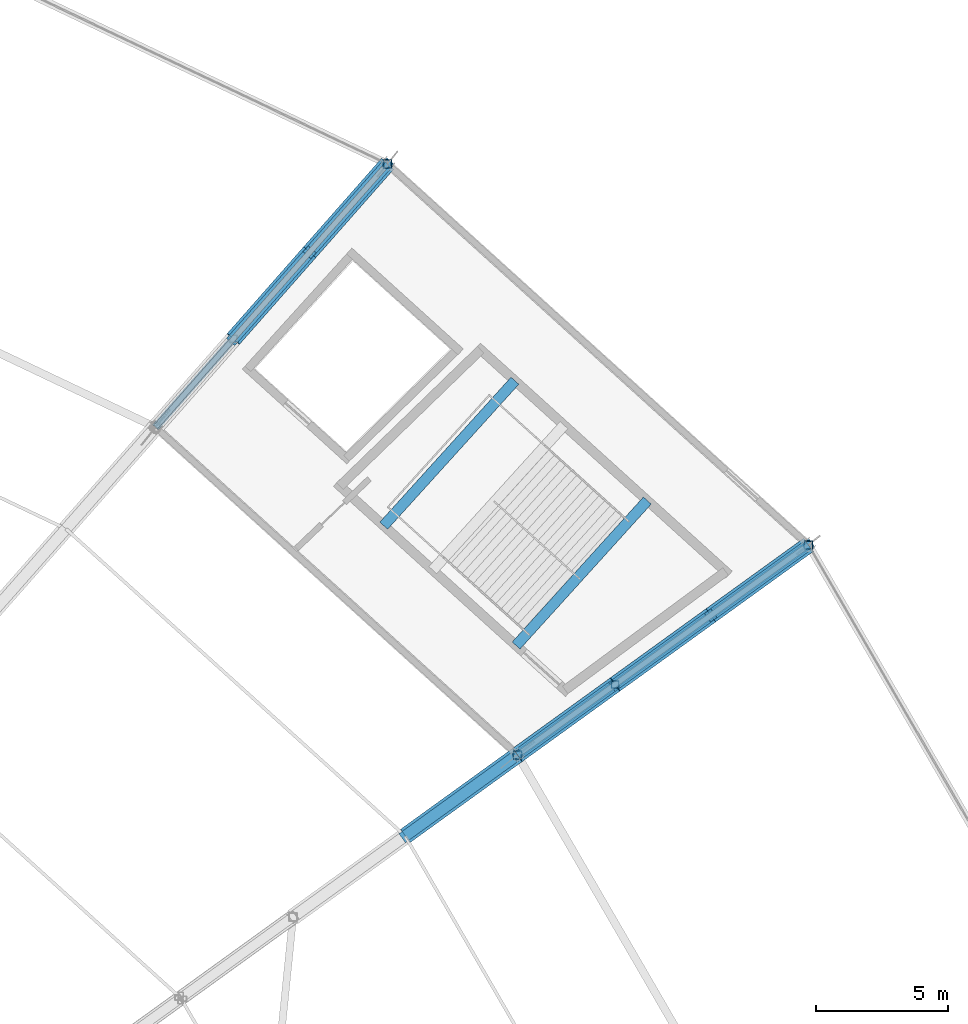
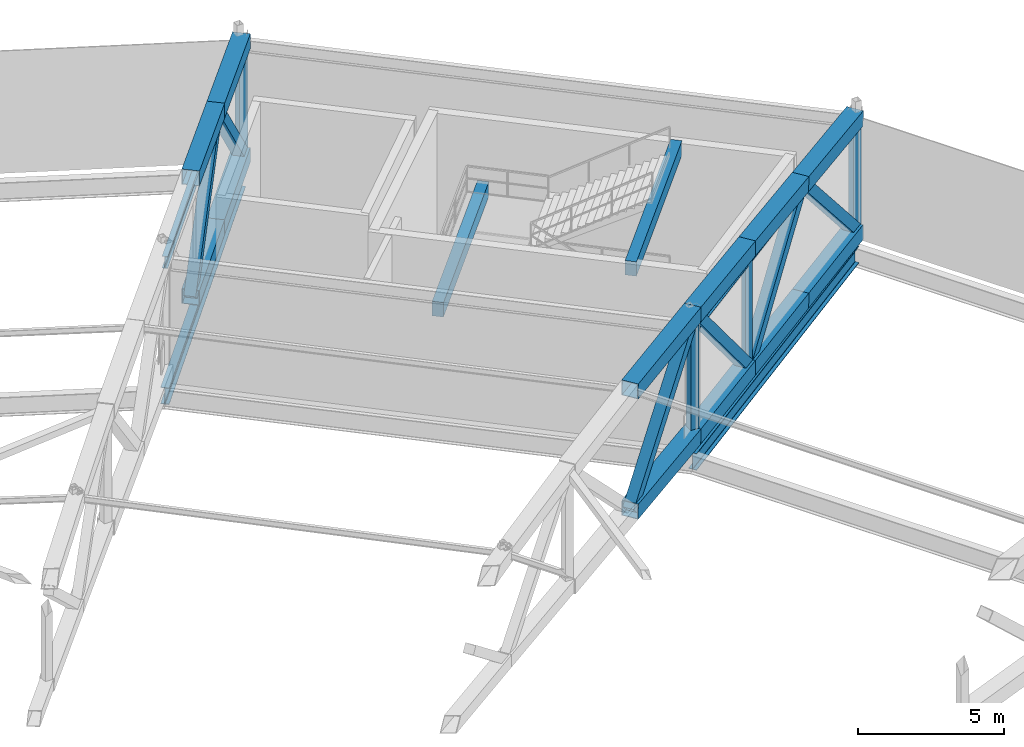
# One storey, part 88 of 162: 22 members, 6 beams.
"""IFC4 building model written with IfcOpenShell, lengths in metres."""

from ifc_helpers import new_model, si_unit, direction, frame, origin, origin_2d, place, context, subcontext, project, spatial, rectangle, hollow_rectangle, i_section, extrude, material, material_profile, profile_set, type_object, element, save


model = new_model("IFC4")

# Units and contexts
model_context = context("Model", 3, precision=1e-05, world=origin(), true_north=direction((0.0, 1.0)))
body_context = subcontext(model_context, "Body", "Model", "MODEL_VIEW")
ifc_project = project(units=[si_unit("LENGTHUNIT", "METRE"), si_unit("AREAUNIT", "SQUARE_METRE"), si_unit("VOLUMEUNIT", "CUBIC_METRE"), si_unit("PLANEANGLEUNIT", "RADIAN"), si_unit("MASSUNIT", "GRAM", prefix="KILO")], contexts=[model_context])

# Site, building, storey
site_placement = place(None, origin())
site = spatial("IfcSite", under=ifc_project, at=site_placement, CompositionType="ELEMENT")
building_placement = place(site_placement, origin())
building = spatial("IfcBuilding", under=site, at=building_placement, Name="Kazemori Nagisa Stadium", CompositionType="ELEMENT")
storey_placement = place(building_placement, frame((0.0, 0.0, 36.719970703125)))
storey = spatial("IfcBuildingStorey", under=building, at=storey_placement, Name="RF", CompositionType="ELEMENT", Elevation=36.719970703125)

# Beams
ifc_material_1 = material(Name="Steel SN490B", Category="steel")
ifc_material_profile_1 = material_profile(ifc_material_1, i_section(OverallWidth=0.199951171875, OverallDepth=0.5, WebThickness=0.010009765625, FlangeThickness=0.01611328125, FilletRadius=0.012939453125, at=origin_2d()), Name="H-500x200x10x16")
ifc_profile_set_1 = profile_set([ifc_material_profile_1], Name="Steel SN490B")
beam_type_1 = type_object("IfcBeamType", Name="Beam_BG-H500", PredefinedType="BEAM", material=ifc_profile_set_1)
beam_1_placement = place(storey_placement, frame((190.506103515625, 150.734130859375, 4.93994140625), z_axis=(0.810787509935, 0.585340596349, 0.0), x_axis=(-0.585340596349, 0.810787509935, 0.0)))
element("IfcBeam", 1, at=beam_1_placement, inside=storey, type_object=beam_type_1, Name="Headhouse roof beam BG-H500 B04-radL", PredefinedType="BEAM", context=body_context, shape_type="SweptSolid", body=[
    extrude(i_section(OverallWidth=0.199951171875, OverallDepth=0.5, WebThickness=0.010009765625, FlangeThickness=0.01611328125, FilletRadius=0.012939453125, at=origin_2d()), origin(), (0.0, 0.0, 1.0), 13.5537109375),
])
beam_2_placement = place(storey_placement, frame((176.834228515625, 163.11083984375, 4.93994140625), z_axis=(0.661019680997, 0.750368563664, 0.0), x_axis=(-0.750368563664, 0.661019680997, 0.0)))
element("IfcBeam", 2, at=beam_2_placement, inside=storey, type_object=beam_type_1, Name="Headhouse roof beam BG-H500 B04-radR", PredefinedType="BEAM", context=body_context, shape_type="SweptSolid", body=[
    extrude(i_section(OverallWidth=0.199951171875, OverallDepth=0.5, WebThickness=0.010009765625, FlangeThickness=0.01611328125, FilletRadius=0.012939453125, at=origin_2d()), origin(), (0.0, 0.0, 1.0), 13.2578125),
])
ifc_material_profile_2 = material_profile(ifc_material_1, i_section(OverallWidth=0.300048828125, OverallDepth=0.699951171875, WebThickness=0.012939453125, FlangeThickness=0.02392578125, FilletRadius=0.01806640625, at=origin_2d()), Name="H-700x300x13x24")
ifc_profile_set_2 = profile_set([ifc_material_profile_2], Name="Steel SN490B")
beam_type_2 = type_object("IfcBeamType", Name="Beam_BG-H700", PredefinedType="BEAM", material=ifc_profile_set_2)
beam_3_placement = place(storey_placement, frame((190.506103515625, 150.734130859375, -0.6298828125), z_axis=(0.810787509935, 0.585340596349, 0.0), x_axis=(-0.585340596349, 0.810787509935, 0.0)))
element("IfcBeam", 3, at=beam_3_placement, inside=storey, type_object=beam_type_2, Name="Radial girder BG-H700 RF R2-R3-04", PredefinedType="BEAM", context=body_context, shape_type="SweptSolid", body=[
    extrude(i_section(OverallWidth=0.300048828125, OverallDepth=0.699951171875, WebThickness=0.012939453125, FlangeThickness=0.02392578125, FilletRadius=0.01806640625, at=origin_2d()), origin(), (0.0, 0.0, 1.0), 13.5537109375),
])
beam_4_placement = place(storey_placement, frame((176.834228515625, 163.11083984375, -0.6298828125), z_axis=(0.661019680997, 0.750368563664, 0.0), x_axis=(-0.750368563664, 0.661019680997, 0.0)))
element("IfcBeam", 4, at=beam_4_placement, inside=storey, type_object=beam_type_2, Name="Radial girder BG-H700 RF R2-R3-05", PredefinedType="BEAM", context=body_context, shape_type="SweptSolid", body=[
    extrude(i_section(OverallWidth=0.300048828125, OverallDepth=0.699951171875, WebThickness=0.012939453125, FlangeThickness=0.02392578125, FilletRadius=0.01806640625, at=origin_2d()), origin(), (0.0, 0.0, 1.0), 13.2578125),
])
ifc_material_2 = material(Name="Concrete C40/50 (Fc42)", Category="concrete")
ifc_material_profile_3 = material_profile(ifc_material_2, rectangle(XDim=0.39990234375, YDim=0.60009765625, at=origin_2d()), Name="RC-BM-400x600")
ifc_profile_set_3 = profile_set([ifc_material_profile_3], Name="Concrete C40/50 (Fc42)")
beam_type_3 = type_object("IfcBeamType", Name="Beam_BG-LND400X600", PredefinedType="BEAM", material=ifc_profile_set_3)
beam_5_placement = place(storey_placement, frame((185.4541015625, 159.394775390625, 2.219970703125), z_axis=(0.671113236271, 0.74135485707, 0.0), x_axis=(-0.74135485707, 0.671113236271, 0.0)))
element("IfcBeam", 5, at=beam_5_placement, inside=storey, type_object=beam_type_3, Name="Core stair mid-landing girder ST01-RF-2", PredefinedType="BEAM", context=body_context, shape_type="SweptSolid", body=[
    extrude(rectangle(XDim=0.39990234375, YDim=0.60009765625, at=origin_2d()), origin(), (0.0, 0.0, 1.0), 7.385986328125),
])
beam_6_placement = place(storey_placement, frame((190.454345703125, 154.8681640625, 4.919921875), z_axis=(0.671129682405, 0.741339968837, 0.0), x_axis=(-0.741339968837, 0.671129682405, 0.0)))
element("IfcBeam", 6, at=beam_6_placement, inside=storey, type_object=beam_type_3, Name="Core stair arrival header girder ST01-RF", PredefinedType="BEAM", context=body_context, shape_type="SweptSolid", body=[
    extrude(rectangle(XDim=0.39990234375, YDim=0.60009765625, at=origin_2d()), origin(), (0.0, 0.0, 1.0), 7.3857421875),
])

# Members
ifc_material_3 = material(Name="Steel STKR490", Category="steel")
ifc_material_profile_4 = material_profile(ifc_material_3, hollow_rectangle(XDim=0.419921875, YDim=0.419921875, WallThickness=0.01611328125, at=origin_2d()), Name="SHS-420x420x16")
ifc_profile_set_4 = profile_set([ifc_material_profile_4], Name="Steel STKR490")
member_type_1 = type_object("IfcMemberType", Name="Member_TB-SHS420", PredefinedType="BRACE", material=ifc_profile_set_4)
member_1_placement = place(storey_placement, frame((201.495361328125, 158.667724609375, 0.360107421875), z_axis=(-0.551711223823, -0.398330319099, 0.732767140635), x_axis=(0.585367131557, -0.810768352425, 0.0)))
element("IfcMember", 7, at=member_1_placement, inside=storey, type_object=member_type_1, Name="Roof space truss diagonal RT-04-1", PredefinedType="BRACE", context=body_context, shape_type="SweptSolid", body=[
    extrude(hollow_rectangle(XDim=0.419921875, YDim=0.419921875, WallThickness=0.01611328125, at=origin_2d()), origin(), (0.0, 0.0, 1.0), 6.686767578125),
])
member_2_placement = place(storey_placement, frame((197.80615234375, 156.004150390625, 5.260009765625), z_axis=(-0.550225469155, -0.397211449234, -0.734489617142), x_axis=(0.585322409097, -0.810800639744, 0.0)))
element("IfcMember", 8, at=member_2_placement, inside=storey, type_object=member_type_1, Name="Roof space truss diagonal RT-04-2", PredefinedType="BRACE", context=body_context, shape_type="SweptSolid", body=[
    extrude(hollow_rectangle(XDim=0.419921875, YDim=0.419921875, WallThickness=0.01611328125, at=origin_2d()), origin(), (0.0, 0.0, 1.0), 6.5625),
])
member_3_placement = place(storey_placement, frame((194.1953125, 153.3974609375, 0.43994140625), z_axis=(-0.538589651262, -0.388821024791, 0.747488727831), x_axis=(0.585331860569, -0.810793816579, 0.0)))
element("IfcMember", 9, at=member_3_placement, inside=storey, type_object=member_type_1, Name="Roof space truss diagonal RT-04-3", PredefinedType="BRACE", context=body_context, shape_type="SweptSolid", body=[
    extrude(hollow_rectangle(XDim=0.419921875, YDim=0.419921875, WallThickness=0.01611328125, at=origin_2d()), origin(), (0.0, 0.0, 1.0), 6.849853515625),
])
member_4_placement = place(storey_placement, frame((190.506103515625, 150.734130859375, 5.56005859375), z_axis=(-0.592818527413, -0.427968403559, -0.682209087531), x_axis=(0.585330267791, -0.810794966442, 0.0)))
element("IfcMember", 10, at=member_4_placement, inside=storey, type_object=member_type_1, Name="Roof space truss diagonal RT-04-4", PredefinedType="BRACE", context=body_context, shape_type="SweptSolid", body=[
    extrude(hollow_rectangle(XDim=0.419921875, YDim=0.419921875, WallThickness=0.01611328125, at=origin_2d()), origin(), (0.0, 0.0, 1.0), 7.150146484375),
])
member_5_placement = place(storey_placement, frame((185.597900390625, 173.05908203125, 0.360107421875), z_axis=(-0.444455255531, -0.50453471875, 0.740205541324), x_axis=(0.750370654853, -0.661017307137, 0.0)))
element("IfcMember", 11, at=member_5_placement, inside=storey, type_object=member_type_1, Name="Roof space truss diagonal RT-05-1", PredefinedType="BRACE", context=body_context, shape_type="SweptSolid", body=[
    extrude(hollow_rectangle(XDim=0.419921875, YDim=0.419921875, WallThickness=0.01611328125, at=origin_2d()), origin(), (0.0, 0.0, 1.0), 6.61962890625),
])
member_6_placement = place(storey_placement, frame((182.65576171875, 169.71923828125, 5.260009765625), z_axis=(-0.443198776891, -0.503136206867, -0.741908890297), x_axis=(0.750388778691, -0.660996732832, 0.0)))
element("IfcMember", 12, at=member_6_placement, inside=storey, type_object=member_type_1, Name="Roof space truss diagonal RT-05-2", PredefinedType="BRACE", context=body_context, shape_type="SweptSolid", body=[
    extrude(hollow_rectangle(XDim=0.419921875, YDim=0.419921875, WallThickness=0.01611328125, at=origin_2d()), origin(), (0.0, 0.0, 1.0), 6.496826171875),
])
ifc_material_profile_5 = material_profile(ifc_material_3, hollow_rectangle(XDim=0.6201171875, YDim=0.6201171875, WallThickness=0.02197265625, at=origin_2d()), Name="SHS-620x620x22")
ifc_profile_set_5 = profile_set([ifc_material_profile_5], Name="Steel STKR490")
member_type_2 = type_object("IfcMemberType", Name="Member_TC-SHS620", PredefinedType="CHORD", material=ifc_profile_set_5)
member_7_placement = place(storey_placement, frame((201.495361328125, 158.667724609375, 5.10009765625), z_axis=(-0.810268139973, -0.585005982867, 0.035121807404), x_axis=(0.585367131557, -0.810768352425, 0.0)))
element("IfcMember", 13, at=member_7_placement, inside=storey, type_object=member_type_2, Name="Roof space truss top chord RT-04-1", PredefinedType="CHORD", context=body_context, shape_type="SweptSolid", body=[
    extrude(hollow_rectangle(XDim=0.6201171875, YDim=0.6201171875, WallThickness=0.02197265625, at=origin_2d()), origin(), (0.0, 0.0, 1.0), 4.552978515625),
])
member_8_placement = place(storey_placement, frame((201.495361328125, 158.667724609375, 0.360107421875), z_axis=(-0.810736966391, -0.585344471135, 0.008798945304), x_axis=(0.585367131557, -0.810768352425, 0.0)))
element("IfcMember", 14, at=member_8_placement, inside=storey, type_object=member_type_2, Name="Roof space truss bottom chord RT-04-1", PredefinedType="CHORD", context=body_context, shape_type="SweptSolid", body=[
    extrude(hollow_rectangle(XDim=0.6201171875, YDim=0.6201171875, WallThickness=0.02197265625, at=origin_2d()), origin(), (0.0, 0.0, 1.0), 4.550537109375),
])
member_9_placement = place(storey_placement, frame((197.80615234375, 156.004150390625, 5.260009765625), z_axis=(-0.810278437443, -0.584945427761, 0.035884542023), x_axis=(0.585322409097, -0.810800639744, 0.0)))
element("IfcMember", 15, at=member_9_placement, inside=storey, type_object=member_type_2, Name="Roof space truss top chord RT-04-2", PredefinedType="CHORD", context=body_context, shape_type="SweptSolid", body=[
    extrude(hollow_rectangle(XDim=0.6201171875, YDim=0.6201171875, WallThickness=0.02197265625, at=origin_2d()), origin(), (0.0, 0.0, 1.0), 4.456298828125),
])
member_10_placement = place(storey_placement, frame((197.80615234375, 156.004150390625, 0.400146484375), z_axis=(-0.810768271055, -0.585299041924, 0.008935444772), x_axis=(0.585322409097, -0.810800639744, 0.0)))
element("IfcMember", 16, at=member_10_placement, inside=storey, type_object=member_type_2, Name="Roof space truss bottom chord RT-04-2", PredefinedType="CHORD", context=body_context, shape_type="SweptSolid", body=[
    extrude(hollow_rectangle(XDim=0.6201171875, YDim=0.6201171875, WallThickness=0.02197265625, at=origin_2d()), origin(), (0.0, 0.0, 1.0), 4.45361328125),
])
member_11_placement = place(storey_placement, frame((194.1953125, 153.3974609375, 5.419921875), z_axis=(-0.810409552459, -0.585054450915, 0.030783871558), x_axis=(0.585331860569, -0.810793816579, 0.0)))
element("IfcMember", 17, at=member_11_placement, inside=storey, type_object=member_type_2, Name="Roof space truss top chord RT-04-3", PredefinedType="CHORD", context=body_context, shape_type="SweptSolid", body=[
    extrude(hollow_rectangle(XDim=0.6201171875, YDim=0.6201171875, WallThickness=0.02197265625, at=origin_2d()), origin(), (0.0, 0.0, 1.0), 4.55224609375),
])
member_12_placement = place(storey_placement, frame((194.1953125, 153.3974609375, 0.43994140625), z_axis=(-0.810762427588, -0.58530920009, 0.008799221635), x_axis=(0.585331860569, -0.810793816579, 0.0)))
element("IfcMember", 18, at=member_12_placement, inside=storey, type_object=member_type_2, Name="Roof space truss bottom chord RT-04-3", PredefinedType="CHORD", context=body_context, shape_type="SweptSolid", body=[
    extrude(hollow_rectangle(XDim=0.6201171875, YDim=0.6201171875, WallThickness=0.02197265625, at=origin_2d()), origin(), (0.0, 0.0, 1.0), 4.55029296875),
])
member_13_placement = place(storey_placement, frame((190.506103515625, 150.734130859375, 5.56005859375), z_axis=(-0.810524734469, -0.585135181537, 0.025816160475), x_axis=(0.585330267791, -0.810794966442, 0.0)))
element("IfcMember", 19, at=member_13_placement, inside=storey, type_object=member_type_2, Name="Roof space truss top chord RT-04-4", PredefinedType="CHORD", context=body_context, shape_type="SweptSolid", body=[
    extrude(hollow_rectangle(XDim=0.6201171875, YDim=0.6201171875, WallThickness=0.02197265625, at=origin_2d()), origin(), (0.0, 0.0, 1.0), 5.229736328125),
])
member_14_placement = place(storey_placement, frame((190.506103515625, 150.734130859375, 0.47998046875), z_axis=(-0.81018951734, -0.584893181105, 0.038638228335), x_axis=(0.585330267791, -0.810794966442, 0.0)))
element("IfcMember", 20, at=member_14_placement, inside=storey, type_object=member_type_2, Name="Roof space truss bottom chord RT-04-4", PredefinedType="CHORD", context=body_context, shape_type="SweptSolid", body=[
    extrude(hollow_rectangle(XDim=0.6201171875, YDim=0.6201171875, WallThickness=0.02197265625, at=origin_2d()), origin(), (0.0, 0.0, 1.0), 5.23193359375),
])
member_15_placement = place(storey_placement, frame((185.597900390625, 173.05908203125, 5.10009765625), z_axis=(-0.660591096065, -0.749886830484, 0.03590466915), x_axis=(0.750370654853, -0.661017307137, 0.0)))
element("IfcMember", 21, at=member_15_placement, inside=storey, type_object=member_type_2, Name="Roof space truss top chord RT-05-1", PredefinedType="CHORD", context=body_context, shape_type="SweptSolid", body=[
    extrude(hollow_rectangle(XDim=0.6201171875, YDim=0.6201171875, WallThickness=0.02197265625, at=origin_2d()), origin(), (0.0, 0.0, 1.0), 4.453857421875),
])
member_16_placement = place(storey_placement, frame((185.597900390625, 173.05908203125, 0.360107421875), z_axis=(-0.660990563304, -0.750340295908, 0.008995307641), x_axis=(0.750370654853, -0.661017307137, 0.0)))
element("IfcMember", 22, at=member_16_placement, inside=storey, type_object=member_type_2, Name="Roof space truss bottom chord RT-05-1", PredefinedType="CHORD", context=body_context, shape_type="SweptSolid", body=[
    extrude(hollow_rectangle(XDim=0.6201171875, YDim=0.6201171875, WallThickness=0.02197265625, at=origin_2d()), origin(), (0.0, 0.0, 1.0), 4.451171875),
])
member_17_placement = place(storey_placement, frame((182.65576171875, 169.71923828125, 5.260009765625), z_axis=(-0.660551804944, -0.749883679532, 0.036684876398), x_axis=(0.750388778691, -0.660996732832, 0.0)))
element("IfcMember", 23, at=member_17_placement, inside=storey, type_object=member_type_2, Name="Roof space truss top chord RT-05-2", PredefinedType="CHORD", context=body_context, shape_type="SweptSolid", body=[
    extrude(hollow_rectangle(XDim=0.6201171875, YDim=0.6201171875, WallThickness=0.02197265625, at=origin_2d()), origin(), (0.0, 0.0, 1.0), 4.359130859375),
])
member_18_placement = place(storey_placement, frame((182.65576171875, 169.71923828125, 0.400146484375), z_axis=(-0.660969152866, -0.750357468859, 0.009134981509), x_axis=(0.750388778691, -0.660996732832, 0.0)))
element("IfcMember", 24, at=member_18_placement, inside=storey, type_object=member_type_2, Name="Roof space truss bottom chord RT-05-2", PredefinedType="CHORD", context=body_context, shape_type="SweptSolid", body=[
    extrude(hollow_rectangle(XDim=0.6201171875, YDim=0.6201171875, WallThickness=0.02197265625, at=origin_2d()), origin(), (0.0, 0.0, 1.0), 4.356201171875),
])
ifc_material_profile_6 = material_profile(ifc_material_3, hollow_rectangle(XDim=0.280029296875, YDim=0.280029296875, WallThickness=0.010009765625, at=origin_2d()), Name="SHS-280x280x10")
ifc_profile_set_6 = profile_set([ifc_material_profile_6], Name="Steel STKR490")
member_type_3 = type_object("IfcMemberType", Name="Member_TS-SHS280", PredefinedType="STRUT", material=ifc_profile_set_6)
member_19_placement = place(storey_placement, frame((194.1953125, 153.3974609375, 0.43994140625), z_axis=(0.0, 0.0, 1.0), x_axis=(1.0, 0.0, 0.0)))
element("IfcMember", 25, at=member_19_placement, inside=storey, type_object=member_type_3, Name="Roof space truss strut RT-04-3", PredefinedType="STRUT", context=body_context, shape_type="SweptSolid", body=[
    extrude(hollow_rectangle(XDim=0.280029296875, YDim=0.280029296875, WallThickness=0.010009765625, at=origin_2d()), origin(), (0.0, 0.0, 1.0), 4.97998046875),
])
ifc_material_profile_7 = material_profile(ifc_material_3, hollow_rectangle(XDim=0.320068359375, YDim=0.320068359375, WallThickness=0.011962890625, at=origin_2d()), Name="SHS-320x320x12")
ifc_profile_set_7 = profile_set([ifc_material_profile_7], Name="Steel STKR490")
member_type_4 = type_object("IfcMemberType", Name="Member_TS-SHS320", PredefinedType="STRUT", material=ifc_profile_set_7)
member_20_placement = place(storey_placement, frame((201.495361328125, 158.667724609375, 0.360107421875), z_axis=(0.0, 0.0, 1.0), x_axis=(1.0, 0.0, 0.0)))
element("IfcMember", 26, at=member_20_placement, inside=storey, type_object=member_type_4, Name="Roof space truss strut RT-04-1", PredefinedType="STRUT", context=body_context, shape_type="SweptSolid", body=[
    extrude(hollow_rectangle(XDim=0.320068359375, YDim=0.320068359375, WallThickness=0.011962890625, at=origin_2d()), origin(), (0.0, 0.0, 1.0), 4.739990234375),
])
member_21_placement = place(storey_placement, frame((190.506103515625, 150.734130859375, 0.47998046875), z_axis=(0.0, 0.0, 1.0), x_axis=(1.0, 0.0, 0.0)))
element("IfcMember", 27, at=member_21_placement, inside=storey, type_object=member_type_4, Name="Roof space truss strut RT-04-4", PredefinedType="STRUT", context=body_context, shape_type="SweptSolid", body=[
    extrude(hollow_rectangle(XDim=0.320068359375, YDim=0.320068359375, WallThickness=0.011962890625, at=origin_2d()), origin(), (0.0, 0.0, 1.0), 5.080078125),
])
member_22_placement = place(storey_placement, frame((185.597900390625, 173.05908203125, 0.360107421875), z_axis=(0.0, 0.0, 1.0), x_axis=(1.0, 0.0, 0.0)))
element("IfcMember", 28, at=member_22_placement, inside=storey, type_object=member_type_4, Name="Roof space truss strut RT-05-1", PredefinedType="STRUT", context=body_context, shape_type="SweptSolid", body=[
    extrude(hollow_rectangle(XDim=0.320068359375, YDim=0.320068359375, WallThickness=0.011962890625, at=origin_2d()), origin(), (0.0, 0.0, 1.0), 4.739990234375),
])

save(model, "model.ifc")
